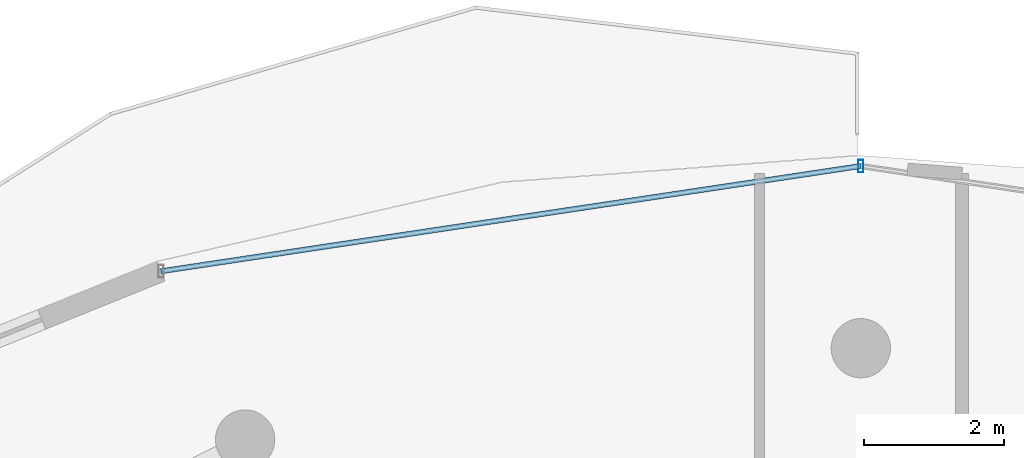
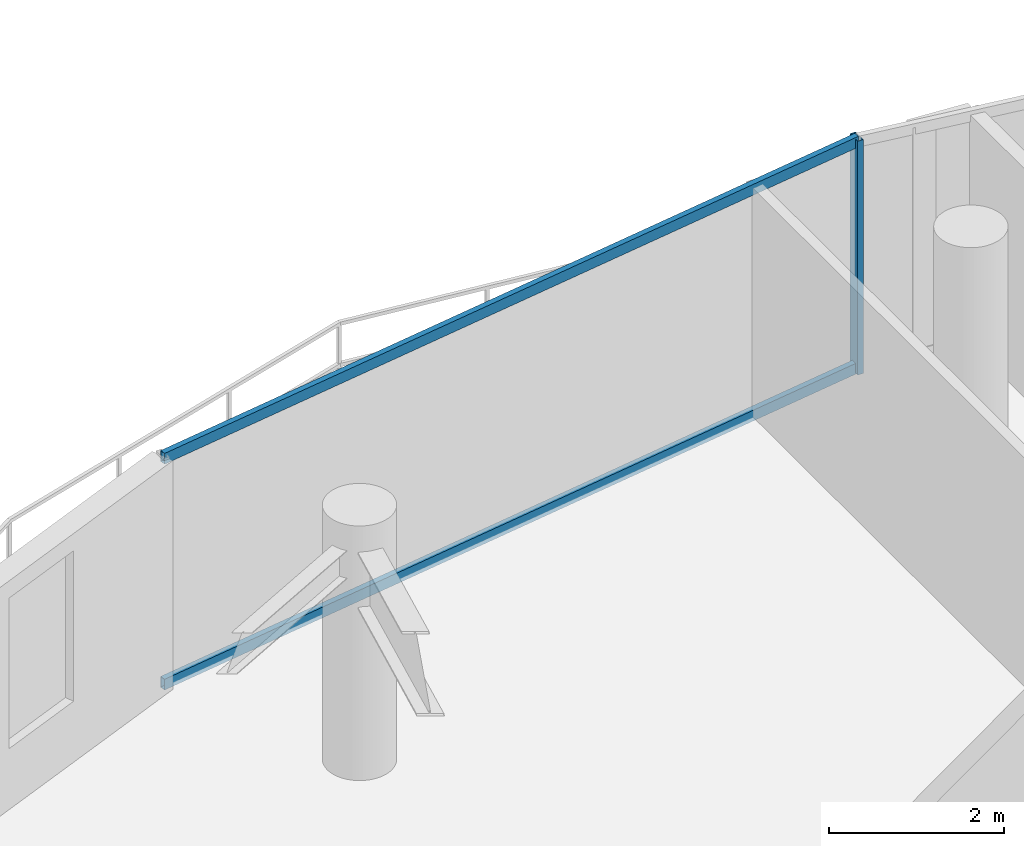
# One storey, part 13 of 25: 3 members, 1 element without a shape of its own.
"""IFC4 building model written with IfcOpenShell, lengths in metres."""

from ifc_helpers import new_model, si_unit, direction, frame, origin, origin_2d, place, context, subcontext, project, spatial, hollow_rectangle, extrude, material, material_profile, profile_set, type_object, element, aggregate, save


model = new_model("IFC4")

# Units and contexts
model_context = context("Model", 3, precision=1e-05, world=origin(), true_north=direction((0.0, 1.0)))
body_context = subcontext(model_context, "Body", "Model", "MODEL_VIEW")
ifc_project = project(units=[si_unit("LENGTHUNIT", "METRE"), si_unit("AREAUNIT", "SQUARE_METRE"), si_unit("VOLUMEUNIT", "CUBIC_METRE"), si_unit("PLANEANGLEUNIT", "RADIAN"), si_unit("MASSUNIT", "GRAM", prefix="KILO")], contexts=[model_context])

# Site, building, storey
site_placement = place(None, origin())
site = spatial("IfcSite", under=ifc_project, at=site_placement, CompositionType="ELEMENT")
building_placement = place(site_placement, origin())
building = spatial("IfcBuilding", under=site, at=building_placement, Name="Vorneva Point Tower", CompositionType="ELEMENT")
storey_placement = place(building_placement, frame((0.0, 0.0, 276.85009765625)))
storey = spatial("IfcBuildingStorey", under=building, at=storey_placement, Name="L75", CompositionType="ELEMENT", Elevation=276.85009765625)

# Curtain wall, members
ifc_material = material(Name="Pale anodised aluminium", Category="aluminium")
curtain_wall_type = type_object("IfcCurtainWallType", Name="CW-RES-SYS", PredefinedType="NOTDEFINED", material=ifc_material)
curtain_wall_placement = place(storey_placement, origin())
curtain_wall = element("IfcCurtainWall", 1, at=curtain_wall_placement, inside=storey, type_object=curtain_wall_type, Name="L75 Unitised Curtain Wall CW-L75-R02", PredefinedType="NOTDEFINED")
ifc_material_profile_1 = material_profile(ifc_material, hollow_rectangle(XDim=0.074951171875, YDim=0.179931640625, WallThickness=0.00390625, at=origin_2d()), Name="AL-MUL 180x75x4")
ifc_profile_set_1 = profile_set([ifc_material_profile_1], Name="Pale anodised aluminium")
member_type_1 = type_object("IfcMemberType", Name="CW-MUL-180", PredefinedType="MULLION", material=ifc_profile_set_1)
member_1_placement = place(storey_placement, frame((38.0, 45.81005859375, -0.0400390625), z_axis=(0.0, 0.0, 1.0), x_axis=(1.0, 0.0, 0.0)))
member_1 = element("IfcMember", 2, at=member_1_placement, type_object=member_type_1, Name="CW-L75-R02 Mullion 03", PredefinedType="MULLION", context=body_context, shape_type="SweptSolid", body=[
    extrude(hollow_rectangle(XDim=0.074951171875, YDim=0.179931640625, WallThickness=0.00390625, at=origin_2d()), origin(), (0.0, 0.0, 1.0), 3.260009765625),
])
ifc_material_profile_2 = material_profile(ifc_material, hollow_rectangle(XDim=0.074951171875, YDim=0.14990234375, WallThickness=0.00390625, at=origin_2d()), Name="AL-TRN 150x75x4")
ifc_profile_set_2 = profile_set([ifc_material_profile_2], Name="Pale anodised aluminium")
member_type_2 = type_object("IfcMemberType", Name="CW-TRN-150", PredefinedType="USERDEFINED", material=ifc_profile_set_2)
member_2_placement = place(storey_placement, frame((38.0, 45.81005859375, 0.02001953125), z_axis=(-0.988876929856, -0.148736066907, 0.0), x_axis=(0.148736066907, -0.988876929856, 0.0)))
member_2 = element("IfcMember", 3, at=member_2_placement, type_object=member_type_2, Name="CW-L75-R02 Transom 03.1", ObjectType="TRANSOM", PredefinedType="USERDEFINED", context=body_context, shape_type="SweptSolid", body=[
    extrude(hollow_rectangle(XDim=0.074951171875, YDim=0.14990234375, WallThickness=0.00390625, at=origin_2d()), origin(), (0.0, 0.0, 1.0), 10.13916015625),
])
member_3_placement = place(storey_placement, frame((38.0, 45.81005859375, 3.169921875), z_axis=(-0.988876929856, -0.148736066907, 0.0), x_axis=(0.148736066907, -0.988876929856, 0.0)))
member_3 = element("IfcMember", 4, at=member_3_placement, type_object=member_type_2, Name="CW-L75-R02 Transom 03.2", ObjectType="TRANSOM", PredefinedType="USERDEFINED", context=body_context, shape_type="SweptSolid", body=[
    extrude(hollow_rectangle(XDim=0.074951171875, YDim=0.14990234375, WallThickness=0.00390625, at=origin_2d()), origin(), (0.0, 0.0, 1.0), 10.13916015625),
])
aggregate(curtain_wall, [member_1, member_2, member_3])

save(model, "model.ifc")
